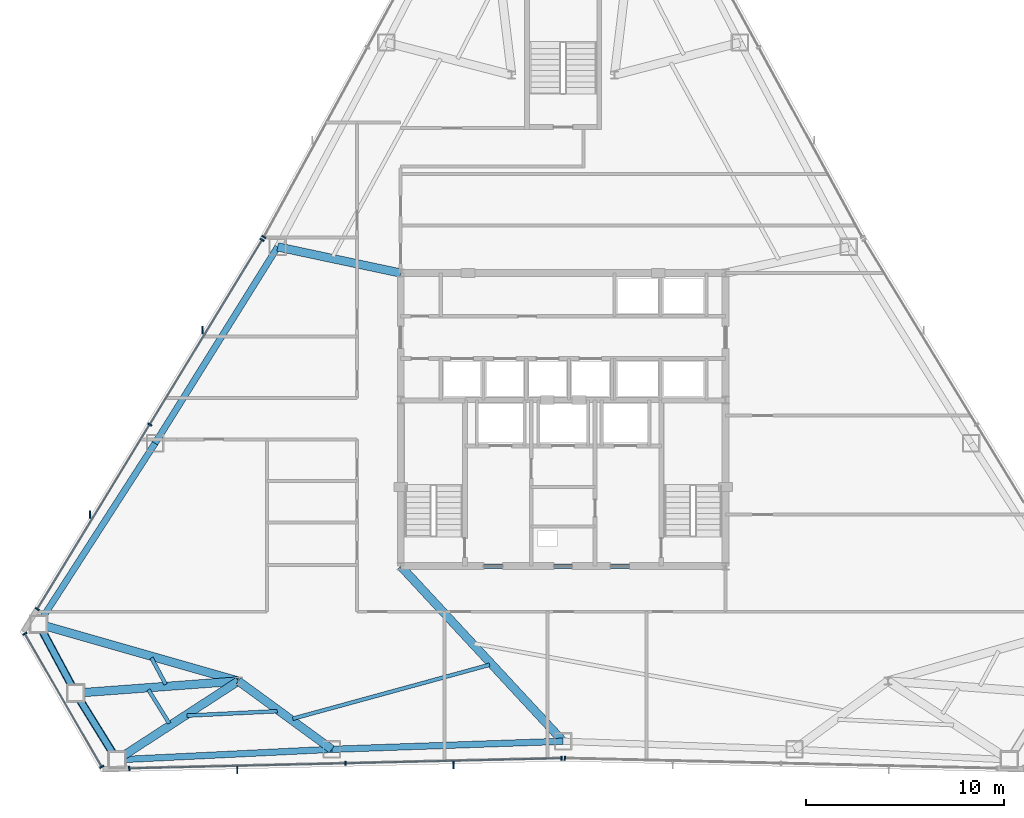
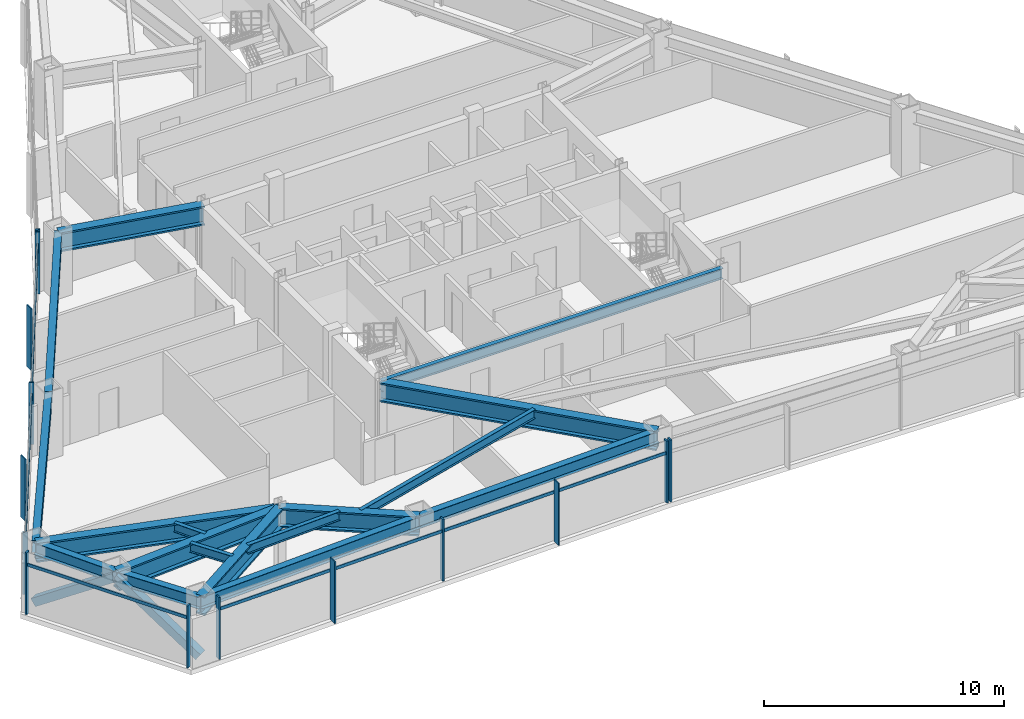
# One storey, part 3 of 12: 19 members, 17 beams, 5 elements without a shape of their own.
"""IFC4 building model written with IfcOpenShell, lengths in metres."""

from ifc_helpers import new_model, si_unit, direction, frame, origin, origin_2d, place, context, subcontext, project, spatial, rectangle, hollow_rectangle, i_section, extrude, source, transform, mapped, material, layer, layer_set, material_profile, profile_set, type_object, type_shapes, element, aggregate, save


model = new_model("IFC4")

# Units and contexts
model_context = context("Model", 3, precision=1e-05, world=origin(), true_north=direction((0.0, 1.0)))
body_context = subcontext(model_context, "Body", "Model", "MODEL_VIEW")
ifc_project = project(units=[si_unit("LENGTHUNIT", "METRE"), si_unit("AREAUNIT", "SQUARE_METRE"), si_unit("VOLUMEUNIT", "CUBIC_METRE"), si_unit("PLANEANGLEUNIT", "RADIAN"), si_unit("MASSUNIT", "GRAM", prefix="KILO")], contexts=[model_context])

# Site, building, storey
site_placement = place(None, origin())
site = spatial("IfcSite", under=ifc_project, at=site_placement, CompositionType="ELEMENT")
building_placement = place(site_placement, origin())
building = spatial("IfcBuilding", under=site, at=building_placement, Name="Varakhsha Concourse Tower", CompositionType="ELEMENT")
storey_placement = place(building_placement, frame((0.0, 0.0, 153.949951171875)))
storey = spatial("IfcBuildingStorey", under=building, at=storey_placement, Name="L44", CompositionType="ELEMENT", Elevation=153.949951171875)

# Beams
ifc_material_1 = material(Name="Structural Steel ASTM A992 Grade 50", Category="steel")
ifc_material_profile_1 = material_profile(ifc_material_1, i_section(OverallWidth=0.19091796875, OverallDepth=0.45703125, WebThickness=0.009033203125, FlangeThickness=0.013916015625, at=origin_2d()), Name="W18X50")
ifc_profile_set_1 = profile_set([ifc_material_profile_1], Name="Structural Steel ASTM A992 Grade 50")
beam_type_1 = type_object("IfcBeamType", Name="BM-JST-W18X50", PredefinedType="JOIST", material=ifc_profile_set_1)
beam_1_placement = place(storey_placement, frame((19.214599609375, 11.770751953125, 2.921630859375), z_axis=(0.472990710882, -0.881067413663, 0.0), x_axis=(0.881067413663, 0.472990710882, 0.0)))
element("IfcBeam", 1, at=beam_1_placement, inside=storey, type_object=beam_type_1, Name="BM-TJST-L44-07", PredefinedType="JOIST", context=body_context, shape_type="SweptSolid", body=[
    extrude(i_section(OverallWidth=0.19091796875, OverallDepth=0.45703125, WebThickness=0.009033203125, FlangeThickness=0.013916015625, at=origin_2d()), origin(), (0.0, 0.0, 1.0), 1.523193359375),
])
beam_2_placement = place(storey_placement, frame((19.0595703125, 10.165283203125, 2.921630859375), z_axis=(0.526535448441, -0.850153175337, 0.0), x_axis=(0.850153175337, 0.526535448441, 0.0)))
element("IfcBeam", 2, at=beam_2_placement, inside=storey, type_object=beam_type_1, Name="BM-TJST-L44-08", PredefinedType="JOIST", context=body_context, shape_type="SweptSolid", body=[
    extrude(i_section(OverallWidth=0.19091796875, OverallDepth=0.45703125, WebThickness=0.009033203125, FlangeThickness=0.013916015625, at=origin_2d()), origin(), (0.0, 0.0, 1.0), 1.99853515625),
])
beam_3_placement = place(storey_placement, frame((21.0146484375, 8.855224609375, 2.921630859375), z_axis=(0.998805473012, 0.04886335111, 0.0), x_axis=(-0.04886335111, 0.998805473012, 0.0)))
element("IfcBeam", 3, at=beam_3_placement, inside=storey, type_object=beam_type_1, Name="BM-TJST-L44-09", PredefinedType="JOIST", context=body_context, shape_type="SweptSolid", body=[
    extrude(i_section(OverallWidth=0.19091796875, OverallDepth=0.45703125, WebThickness=0.009033203125, FlangeThickness=0.013916015625, at=origin_2d()), origin(), (0.0, 0.0, 1.0), 4.556640625),
])
beam_4_placement = place(storey_placement, frame((26.34814453125, 8.698486328125, 2.921630859375), z_axis=(0.964500874663, 0.264079652331, 0.0), x_axis=(-0.264079652331, 0.964500874663, 0.0)))
element("IfcBeam", 4, at=beam_4_placement, inside=storey, type_object=beam_type_1, Name="BM-TJST-L44-10", PredefinedType="JOIST", context=body_context, shape_type="SweptSolid", body=[
    extrude(i_section(OverallWidth=0.19091796875, OverallDepth=0.45703125, WebThickness=0.009033203125, FlangeThickness=0.013916015625, at=origin_2d()), origin(), (0.0, 0.0, 1.0), 10.303466796875),
])
ifc_material_profile_2 = material_profile(ifc_material_1, i_section(OverallWidth=0.2109375, OverallDepth=0.5390625, WebThickness=0.011962890625, FlangeThickness=0.01904296875, at=origin_2d()), Name="W21X73")
ifc_profile_set_2 = profile_set([ifc_material_profile_2], Name="Structural Steel ASTM A992 Grade 50")
beam_type_2 = type_object("IfcBeamType", Name="BM-RAD-W21X73", PredefinedType="BEAM", material=ifc_profile_set_2)
beam_5_placement = place(storey_placement, frame((31.800048828125, 16.39990234375, 2.880615234375), z_axis=(1.0, 0.0, 0.0), x_axis=(0.0, 1.0, 0.0)))
element("IfcBeam", 5, at=beam_5_placement, inside=storey, type_object=beam_type_2, Name="BM-TCORE-L44-CS", PredefinedType="BEAM", context=body_context, shape_type="SweptSolid", body=[
    extrude(i_section(OverallWidth=0.2109375, OverallDepth=0.5390625, WebThickness=0.011962890625, FlangeThickness=0.01904296875, at=origin_2d()), origin(), (0.0, 0.0, 1.0), 16.39990234375),
])
ifc_material_profile_3 = material_profile(ifc_material_1, i_section(OverallWidth=0.323974609375, OverallDepth=0.611083984375, WebThickness=0.012939453125, FlangeThickness=0.01904296875, at=origin_2d()), Name="W24X104")
ifc_profile_set_3 = profile_set([ifc_material_profile_3], Name="Structural Steel ASTM A992 Grade 50")
beam_type_3 = type_object("IfcBeamType", Name="BM-SPAN-W24X104", PredefinedType="SPANDREL", material=ifc_profile_set_3)
beam_6_placement = place(storey_placement, frame((25.587646484375, 32.52099609375, 2.844482421875), z_axis=(-0.529724816421, -0.848169569643, 0.0), x_axis=(0.848169569643, -0.529724816421, 0.0)))
element("IfcBeam", 6, at=beam_6_placement, inside=storey, type_object=beam_type_3, Name="BM-SPAN-L44-05", PredefinedType="SPANDREL", context=body_context, shape_type="SweptSolid", body=[
    extrude(i_section(OverallWidth=0.323974609375, OverallDepth=0.611083984375, WebThickness=0.012939453125, FlangeThickness=0.01904296875, at=origin_2d()), origin(), (0.0, 0.0, 1.0), 11.689453125),
])
beam_7_placement = place(storey_placement, frame((19.3955078125, 22.6064453125, 2.844482421875), z_axis=(-0.541694977755, -0.840575131131, 0.0), x_axis=(0.840575131131, -0.541694977755, 0.0)))
element("IfcBeam", 7, at=beam_7_placement, inside=storey, type_object=beam_type_3, Name="BM-SPAN-L44-06", PredefinedType="SPANDREL", context=body_context, shape_type="SweptSolid", body=[
    extrude(i_section(OverallWidth=0.323974609375, OverallDepth=0.611083984375, WebThickness=0.012939453125, FlangeThickness=0.01904296875, at=origin_2d()), origin(), (0.0, 0.0, 1.0), 10.85595703125),
])
for number, where, z_axis, x_axis, name in (
    (8, (13.514892578125, 13.481201171875, 2.844482421875), (0.473030089432, -0.881046272617, 0.0), (0.881046272617, 0.473030089432, 0.0), "BM-SPAN-L44-07"),
    (9, (15.388916015625, 9.99072265625, 2.844482421875), (0.526471295038, -0.850192904875, 0.0), (0.850192904875, 0.526471295038, 0.0), "BM-SPAN-L44-08"),
):
    element("IfcBeam", number, at=place(storey_placement, frame(where, z_axis=z_axis, x_axis=x_axis)), inside=storey, type_object=beam_type_3, Name=name, PredefinedType="SPANDREL", context=body_context, shape_type="SweptSolid", body=[
        extrude(i_section(OverallWidth=0.323974609375, OverallDepth=0.611083984375, WebThickness=0.012939453125, FlangeThickness=0.01904296875, at=origin_2d()), origin(), (0.0, 0.0, 1.0), 3.961669921875),
    ])
beam_8_placement = place(storey_placement, frame((17.474609375, 6.62255859375, 2.844482421875), z_axis=(0.998806364453, 0.048845125942, 0.0), x_axis=(-0.048845125942, 0.998806364453, 0.0)))
element("IfcBeam", 10, at=beam_8_placement, inside=storey, type_object=beam_type_3, Name="BM-SPAN-L44-09", PredefinedType="SPANDREL", context=body_context, shape_type="SweptSolid", body=[
    extrude(i_section(OverallWidth=0.323974609375, OverallDepth=0.611083984375, WebThickness=0.012939453125, FlangeThickness=0.01904296875, at=origin_2d()), origin(), (0.0, 0.0, 1.0), 10.856201171875),
])
beam_9_placement = place(storey_placement, frame((28.31787109375, 7.15283203125, 2.844482421875), z_axis=(0.999398784039, 0.034670887806, 0.0), x_axis=(-0.034670887806, 0.999398784039, 0.0)))
element("IfcBeam", 11, at=beam_9_placement, inside=storey, type_object=beam_type_3, Name="BM-SPAN-L44-10", PredefinedType="SPANDREL", context=body_context, shape_type="SweptSolid", body=[
    extrude(i_section(OverallWidth=0.323974609375, OverallDepth=0.611083984375, WebThickness=0.012939453125, FlangeThickness=0.01904296875, at=origin_2d()), origin(), (0.0, 0.0, 1.0), 11.689208984375),
])
ifc_material_profile_4 = material_profile(ifc_material_1, i_section(OverallWidth=0.427978515625, OverallDepth=0.97509765625, WebThickness=0.050048828125, FlangeThickness=0.0810546875, at=origin_2d()), Name="W36X395")
ifc_profile_set_4 = profile_set([ifc_material_profile_4], Name="Structural Steel ASTM A992 Grade 50")
beam_type_4 = type_object("IfcBeamType", Name="BM-XFER-W36X395", PredefinedType="USERDEFINED", material=ifc_profile_set_4)
beam_10_placement = place(storey_placement, frame((31.800048828125, 31.199951171875, 2.66259765625), z_axis=(-0.978129728728, 0.20799575423, 0.0), x_axis=(-0.20799575423, -0.978129728728, 0.0)))
element("IfcBeam", 12, at=beam_10_placement, inside=storey, type_object=beam_type_4, Name="L44 Radial Floor Girder 05", ObjectType="GIRDER", PredefinedType="USERDEFINED", context=body_context, shape_type="SweptSolid", body=[
    extrude(i_section(OverallWidth=0.427978515625, OverallDepth=0.97509765625, WebThickness=0.050048828125, FlangeThickness=0.0810546875, at=origin_2d()), origin(), (0.0, 0.0, 1.0), 6.351318359375),
])
beam_11_placement = place(storey_placement, frame((23.60009765625, 10.60009765625, 2.66259765625), z_axis=(-0.961533609036, 0.274687310761, 0.0), x_axis=(-0.274687310761, -0.961533609036, 0.0)))
element("IfcBeam", 13, at=beam_11_placement, inside=storey, type_object=beam_type_4, Name="L44 Radial Floor Girder 07", ObjectType="GIRDER", PredefinedType="USERDEFINED", context=body_context, shape_type="SweptSolid", body=[
    extrude(i_section(OverallWidth=0.427978515625, OverallDepth=0.97509765625, WebThickness=0.050048828125, FlangeThickness=0.0810546875, at=origin_2d()), origin(), (0.0, 0.0, 1.0), 10.48876953125),
])
beam_12_placement = place(storey_placement, frame((23.60009765625, 10.60009765625, 2.66259765625), z_axis=(-0.99725755111, -0.074009301804, 0.0), x_axis=(0.074009301804, -0.99725755111, 0.0)))
element("IfcBeam", 14, at=beam_12_placement, inside=storey, type_object=beam_type_4, Name="L44 Radial Floor Girder 08", ObjectType="GIRDER", PredefinedType="USERDEFINED", context=body_context, shape_type="SweptSolid", body=[
    extrude(i_section(OverallWidth=0.427978515625, OverallDepth=0.97509765625, WebThickness=0.050048828125, FlangeThickness=0.0810546875, at=origin_2d()), origin(), (0.0, 0.0, 1.0), 8.233642578125),
])
beam_13_placement = place(storey_placement, frame((23.60009765625, 10.60009765625, 2.66259765625), z_axis=(-0.838695554596, -0.544600557014, 0.0), x_axis=(0.544600557014, -0.838695554596, 0.0)))
element("IfcBeam", 15, at=beam_13_placement, inside=storey, type_object=beam_type_4, Name="L44 Radial Floor Girder 09", ObjectType="GIRDER", PredefinedType="USERDEFINED", context=body_context, shape_type="SweptSolid", body=[
    extrude(i_section(OverallWidth=0.427978515625, OverallDepth=0.97509765625, WebThickness=0.050048828125, FlangeThickness=0.0810546875, at=origin_2d()), origin(), (0.0, 0.0, 1.0), 7.3037109375),
])
beam_14_placement = place(storey_placement, frame((23.60009765625, 10.60009765625, 2.66259765625), z_axis=(0.807418681371, -0.589978875023, 0.0), x_axis=(0.589978875023, 0.807418681371, 0.0)))
element("IfcBeam", 16, at=beam_14_placement, inside=storey, type_object=beam_type_4, Name="L44 Radial Floor Girder 10", ObjectType="GIRDER", PredefinedType="USERDEFINED", context=body_context, shape_type="SweptSolid", body=[
    extrude(i_section(OverallWidth=0.427978515625, OverallDepth=0.97509765625, WebThickness=0.050048828125, FlangeThickness=0.0810546875, at=origin_2d()), origin(), (0.0, 0.0, 1.0), 5.843017578125),
])
beam_15_placement = place(storey_placement, frame((31.800048828125, 16.39990234375, 2.66259765625), z_axis=(0.679992803084, -0.733218785735, 0.0), x_axis=(0.733218785735, 0.679992803084, 0.0)))
element("IfcBeam", 17, at=beam_15_placement, inside=storey, type_object=beam_type_4, Name="L44 Radial Floor Girder 11", ObjectType="GIRDER", PredefinedType="USERDEFINED", context=body_context, shape_type="SweptSolid", body=[
    extrude(i_section(OverallWidth=0.427978515625, OverallDepth=0.97509765625, WebThickness=0.050048828125, FlangeThickness=0.0810546875, at=origin_2d()), origin(), (0.0, 0.0, 1.0), 12.058837890625),
])

# Members
ifc_material_2 = material(Name="Structural Steel ASTM A500 Grade C", Category="steel")
ifc_material_profile_5 = material_profile(ifc_material_2, hollow_rectangle(XDim=0.39990234375, YDim=0.39990234375, WallThickness=0.01611328125, at=origin_2d()), Name="HSS 400x400x16")
ifc_profile_set_5 = profile_set([ifc_material_profile_5], Name="Structural Steel ASTM A500 Grade C")
member_type_1 = type_object("IfcMemberType", Name="MB-TUBE-HSS400", PredefinedType="BRACE", material=ifc_profile_set_5)
shared_shape_1 = source(origin(), body_context, "Body", "SweptSolid", [
    extrude(hollow_rectangle(XDim=0.39990234375, YDim=0.39990234375, WallThickness=0.01611328125, at=origin_2d()), origin(), (0.0, 0.0, 1.0), 4.811279296875),
])
type_shapes(member_type_1, [shared_shape_1])
for number, where, z_axis, x_axis, name in (
    (18, (13.514892578125, 13.481201171875, 0.1201171875), (0.389508042018, -0.725481562889, 0.567415180543), (0.881046272617, 0.473030089432, 0.0), "L44 Wind-Corner Tube Brace B03"),
    (19, (17.474609375, 6.62255859375, 0.1201171875), (-0.433509861656, 0.700070473067, 0.567424473024), (-0.850192904875, -0.526471295038, 0.0), "L44 Wind-Corner Tube Brace B04"),
):
    element("IfcMember", number, at=place(storey_placement, frame(where, z_axis=z_axis, x_axis=x_axis)), inside=storey, type_object=member_type_1, Name=name, PredefinedType="BRACE", context=body_context, shape_type="MappedRepresentation", body=[
        mapped(shared_shape_1, transform((0.0, 0.0, 0.0), scale=1.0)),
    ])

# Curtain wall, member
ifc_material_3 = material(Name="Anodised Bronze Architectural Aluminium AA 6063-T6", Category="aluminium")
ifc_layer = layer(ifc_material_3, 0.2099609375, Name="CW-SYS-04")
ifc_layer_set = layer_set([ifc_layer], Name="Anodised Bronze Architectural Aluminium AA 6063-T6")
curtain_wall_type = type_object("IfcCurtainWallType", Name="CW-SYS-04", PredefinedType="NOTDEFINED", material=ifc_layer_set)
curtain_wall_1_placement = place(storey_placement, origin())
curtain_wall_1 = element("IfcCurtainWall", 20, at=curtain_wall_1_placement, inside=storey, type_object=curtain_wall_type, Name="L44 Crystal Curtain Wall F5", PredefinedType="NOTDEFINED")
ifc_material_profile_6 = material_profile(ifc_material_3, rectangle(XDim=0.06494140625, YDim=0.159912109375, at=origin_2d()), Name="CWT-160X65")
ifc_profile_set_6 = profile_set([ifc_material_profile_6], Name="Anodised Bronze Architectural Aluminium AA 6063-T6")
member_type_2 = type_object("IfcMemberType", Name="CWT-160X65", PredefinedType="USERDEFINED", material=ifc_profile_set_6)
shared_shape_2 = source(origin(), body_context, "Body", "SweptSolid", [
    extrude(rectangle(XDim=0.06494140625, YDim=0.159912109375, at=origin_2d()), origin(), (0.0, 0.0, 1.0), 21.82958984375),
])
member_1_placement = place(storey_placement, frame((39.916259765625, 6.7041015625, 2.5), z_axis=(-0.999725999054, -0.023407836626, 0.0), x_axis=(0.023407836626, -0.999725999054, 0.0)))
member_1 = element("IfcMember", 21, at=member_1_placement, type_object=member_type_2, Name="CW-L44-F5 Transom 01", ObjectType="TRANSOM", PredefinedType="USERDEFINED", context=body_context, shape_type="MappedRepresentation", body=[
    mapped(shared_shape_2, transform((0.0, 0.0, 0.0), scale=1.0)),
])

curtain_wall_2_placement = place(storey_placement, origin())
curtain_wall_2 = element("IfcCurtainWall", 22, at=curtain_wall_2_placement, inside=storey, type_object=curtain_wall_type, Name="L44 Crystal Curtain Wall F3", PredefinedType="NOTDEFINED")
shared_shape_3 = source(origin(), body_context, "Body", "SweptSolid", [
    extrude(rectangle(XDim=0.06494140625, YDim=0.159912109375, at=origin_2d()), origin(), (0.0, 0.0, 1.0), 21.829833984375),
])
member_2_placement = place(storey_placement, frame((13.451904296875, 14.23095703125, 2.5), z_axis=(0.520127527533, 0.854088610803, 0.0), x_axis=(-0.854088610803, 0.520127527533, 0.0)))
member_2 = element("IfcMember", 23, at=member_2_placement, type_object=member_type_2, Name="CW-L44-F3 Transom 01", ObjectType="TRANSOM", PredefinedType="USERDEFINED", context=body_context, shape_type="MappedRepresentation", body=[
    mapped(shared_shape_3, transform((0.0, 0.0, 0.0), scale=1.0)),
])

curtain_wall_3_placement = place(storey_placement, origin())
curtain_wall_3 = element("IfcCurtainWall", 24, at=curtain_wall_3_placement, inside=storey, type_object=curtain_wall_type, Name="L44 Crystal Curtain Wall F2", PredefinedType="NOTDEFINED")
ifc_material_profile_7 = material_profile(ifc_material_3, rectangle(XDim=0.074951171875, YDim=0.219970703125, at=origin_2d()), Name="CWM-220X75")
ifc_profile_set_7 = profile_set([ifc_material_profile_7], Name="Anodised Bronze Architectural Aluminium AA 6063-T6")
member_type_3 = type_object("IfcMemberType", Name="CWM-220X75", PredefinedType="MULLION", material=ifc_profile_set_7)
shared_shape_4 = source(origin(), body_context, "Body", "SweptSolid", [
    extrude(rectangle(XDim=0.074951171875, YDim=0.219970703125, at=origin_2d()), origin(), (0.0, 0.0, 1.0), 3.150146484375),
])
type_shapes(member_type_3, [shared_shape_4])
member_3_placement = place(storey_placement, frame((24.889892578125, 33.0205078125, 0.0), z_axis=(0.0, 0.0, 1.0), x_axis=(0.479595701913, 0.877489579828, 0.0)))
member_3 = element("IfcMember", 25, at=member_3_placement, type_object=member_type_3, Name="CW-L44-F2 Mullion 00", PredefinedType="MULLION", context=body_context, shape_type="MappedRepresentation", body=[
    mapped(shared_shape_4, transform((0.0, 0.0, 0.0), scale=1.0)),
])
aggregate(curtain_wall_3, [member_3])

# Member
member_4_placement = place(storey_placement, frame((13.451904296875, 14.23095703125, 0.0), z_axis=(0.0, 0.0, 1.0), x_axis=(0.520125944735, 0.854089574701, 0.0)))
member_4 = element("IfcMember", 26, at=member_4_placement, type_object=member_type_3, Name="CW-L44-F3 Mullion 00", PredefinedType="MULLION", context=body_context, shape_type="MappedRepresentation", body=[
    mapped(shared_shape_4, transform((0.0, 0.0, 0.0), scale=1.0)),
])

member_5_placement = place(storey_placement, frame((19.129150390625, 23.55322265625, 0.0), z_axis=(0.0, 0.0, 1.0), x_axis=(0.520125944735, 0.854089574701, 0.0)))
member_5 = element("IfcMember", 27, at=member_5_placement, type_object=member_type_3, Name="CW-L44-F3 Mullion 01", PredefinedType="MULLION", context=body_context, shape_type="MappedRepresentation", body=[
    mapped(shared_shape_4, transform((0.0, 0.0, 0.0), scale=1.0)),
])

member_6_placement = place(storey_placement, frame((24.80615234375, 32.87548828125, 0.0), z_axis=(0.0, 0.0, 1.0), x_axis=(0.520125944735, 0.854089574701, 0.0)))
member_6 = element("IfcMember", 28, at=member_6_placement, type_object=member_type_3, Name="CW-L44-F3 Mullion 02", PredefinedType="MULLION", context=body_context, shape_type="MappedRepresentation", body=[
    mapped(shared_shape_4, transform((0.0, 0.0, 0.0), scale=1.0)),
])

# Curtain wall, members
curtain_wall_4_placement = place(storey_placement, origin())
curtain_wall_4 = element("IfcCurtainWall", 29, at=curtain_wall_4_placement, inside=storey, type_object=curtain_wall_type, Name="L44 Chamfer Curtain Wall F4", PredefinedType="NOTDEFINED")
member_7_placement = place(storey_placement, frame((16.705322265625, 6.2705078125, 0.0), z_axis=(0.0, 0.0, 1.0), x_axis=(-0.499996976998, 0.866027149108, 0.0)))
member_7 = element("IfcMember", 30, at=member_7_placement, type_object=member_type_3, Name="CW-L44-F4 Mullion 00", PredefinedType="MULLION", context=body_context, shape_type="MappedRepresentation", body=[
    mapped(shared_shape_4, transform((0.0, 0.0, 0.0), scale=1.0)),
])
member_8_placement = place(storey_placement, frame((12.8251953125, 12.990966796875, 0.0), z_axis=(0.0, 0.0, 1.0), x_axis=(-0.499996976998, 0.866027149108, 0.0)))
member_8 = element("IfcMember", 31, at=member_8_placement, type_object=member_type_3, Name="CW-L44-F4 Mullion 01", PredefinedType="MULLION", context=body_context, shape_type="MappedRepresentation", body=[
    mapped(shared_shape_4, transform((0.0, 0.0, 0.0), scale=1.0)),
])

# Member
member_9_placement = place(storey_placement, frame((39.916259765625, 6.7041015625, 0.0), z_axis=(0.0, 0.0, 1.0), x_axis=(-0.999726077797, -0.023404473363, 0.0)))
member_9 = element("IfcMember", 32, at=member_9_placement, type_object=member_type_3, Name="CW-L44-F5 Mullion 00", PredefinedType="MULLION", context=body_context, shape_type="MappedRepresentation", body=[
    mapped(shared_shape_4, transform((0.0, 0.0, 0.0), scale=1.0)),
])

member_10_placement = place(storey_placement, frame((29.00439453125, 6.44873046875, 0.0), z_axis=(0.0, 0.0, 1.0), x_axis=(-0.999726077797, -0.023404473363, 0.0)))
member_10 = element("IfcMember", 33, at=member_10_placement, type_object=member_type_3, Name="CW-L44-F5 Mullion 01", PredefinedType="MULLION", context=body_context, shape_type="MappedRepresentation", body=[
    mapped(shared_shape_4, transform((0.0, 0.0, 0.0), scale=1.0)),
])

member_11_placement = place(storey_placement, frame((18.092529296875, 6.193115234375, 0.0), z_axis=(0.0, 0.0, 1.0), x_axis=(-0.999726077797, -0.023404473363, 0.0)))
member_11 = element("IfcMember", 34, at=member_11_placement, type_object=member_type_3, Name="CW-L44-F5 Mullion 02", PredefinedType="MULLION", context=body_context, shape_type="MappedRepresentation", body=[
    mapped(shared_shape_4, transform((0.0, 0.0, 0.0), scale=1.0)),
])

# Curtain wall, member
curtain_wall_5_placement = place(storey_placement, origin())
curtain_wall_5 = element("IfcCurtainWall", 35, at=curtain_wall_5_placement, inside=storey, type_object=curtain_wall_type, Name="L44 Crystal Curtain Wall F6", PredefinedType="NOTDEFINED")
member_12_placement = place(storey_placement, frame((40.083740234375, 6.7041015625, 0.0), z_axis=(0.0, 0.0, 1.0), x_axis=(-0.999726077797, 0.023404473363, 0.0)))
member_12 = element("IfcMember", 36, at=member_12_placement, type_object=member_type_3, Name="CW-L44-F6 Mullion 02", PredefinedType="MULLION", context=body_context, shape_type="MappedRepresentation", body=[
    mapped(shared_shape_4, transform((0.0, 0.0, 0.0), scale=1.0)),
])
aggregate(curtain_wall_5, [member_12])

# Member
ifc_material_profile_8 = material_profile(ifc_material_3, rectangle(XDim=0.06005859375, YDim=0.3798828125, at=origin_2d()), Name="FIN-BRZ-380")
ifc_profile_set_8 = profile_set([ifc_material_profile_8], Name="Anodised Bronze Architectural Aluminium AA 6063-T6")
member_type_4 = type_object("IfcMemberType", Name="FIN-BRZ-380", PredefinedType="USERDEFINED", material=ifc_profile_set_8)
shared_shape_5 = source(origin(), body_context, "Body", "SweptSolid", [
    extrude(rectangle(XDim=0.06005859375, YDim=0.3798828125, at=origin_2d()), origin(), (0.0, 0.0, 1.0), 3.150146484375),
])
type_shapes(member_type_4, [shared_shape_5])
member_13_placement = place(storey_placement, frame((16.115478515625, 18.998779296875, 0.0), z_axis=(0.0, 0.0, 1.0), x_axis=(1.0, 0.0, 0.0)))
member_13 = element("IfcMember", 37, at=member_13_placement, type_object=member_type_4, Name="L44 Anodised Bronze Solar Fin F3-1", ObjectType="SOLAR FIN", PredefinedType="USERDEFINED", context=body_context, shape_type="MappedRepresentation", body=[
    mapped(shared_shape_5, transform((0.0, 0.0, 0.0), scale=1.0)),
])

member_14_placement = place(storey_placement, frame((21.79248046875, 28.321044921875, 0.0), z_axis=(0.0, 0.0, 1.0), x_axis=(1.0, 0.0, 0.0)))
member_14 = element("IfcMember", 38, at=member_14_placement, type_object=member_type_4, Name="L44 Anodised Bronze Solar Fin F3-2", ObjectType="SOLAR FIN", PredefinedType="USERDEFINED", context=body_context, shape_type="MappedRepresentation", body=[
    mapped(shared_shape_5, transform((0.0, 0.0, 0.0), scale=1.0)),
])

aggregate(curtain_wall_2, [member_4, member_5, member_6, member_2, member_13, member_14])

member_15_placement = place(storey_placement, frame((34.465087890625, 6.371337890625, 0.0), z_axis=(0.0, 0.0, 1.0), x_axis=(1.0, 0.0, 0.0)))
member_15 = element("IfcMember", 39, at=member_15_placement, type_object=member_type_4, Name="L44 Anodised Bronze Solar Fin F5-1", ObjectType="SOLAR FIN", PredefinedType="USERDEFINED", context=body_context, shape_type="MappedRepresentation", body=[
    mapped(shared_shape_5, transform((0.0, 0.0, 0.0), scale=1.0)),
])

member_16_placement = place(storey_placement, frame((23.55322265625, 6.115966796875, 0.0), z_axis=(0.0, 0.0, 1.0), x_axis=(1.0, 0.0, 0.0)))
member_16 = element("IfcMember", 40, at=member_16_placement, type_object=member_type_4, Name="L44 Anodised Bronze Solar Fin F5-2", ObjectType="SOLAR FIN", PredefinedType="USERDEFINED", context=body_context, shape_type="MappedRepresentation", body=[
    mapped(shared_shape_5, transform((0.0, 0.0, 0.0), scale=1.0)),
])

aggregate(curtain_wall_1, [member_9, member_10, member_11, member_1, member_15, member_16])

shared_shape_6 = source(origin(), body_context, "Body", "SweptSolid", [
    extrude(rectangle(XDim=0.06494140625, YDim=0.159912109375, at=origin_2d()), origin(), (0.0, 0.0, 1.0), 7.76025390625),
])
type_shapes(member_type_2, [shared_shape_2, shared_shape_3, shared_shape_6])
member_17_placement = place(storey_placement, frame((16.705322265625, 6.2705078125, 2.5), z_axis=(-0.500006586463, 0.866021601055, 0.0), x_axis=(-0.866021601055, -0.500006586463, 0.0)))
member_17 = element("IfcMember", 41, at=member_17_placement, type_object=member_type_2, Name="CW-L44-F4 Transom 01", ObjectType="TRANSOM", PredefinedType="USERDEFINED", context=body_context, shape_type="MappedRepresentation", body=[
    mapped(shared_shape_6, transform((0.0, 0.0, 0.0), scale=1.0)),
])

aggregate(curtain_wall_4, [member_7, member_8, member_17])

save(model, "model.ifc")
